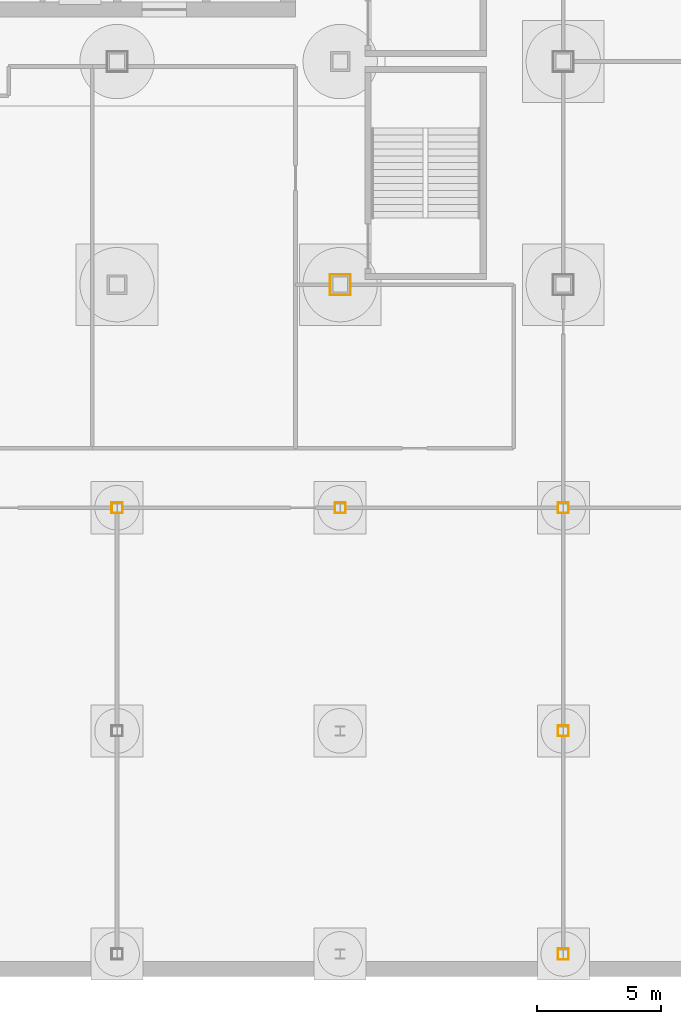
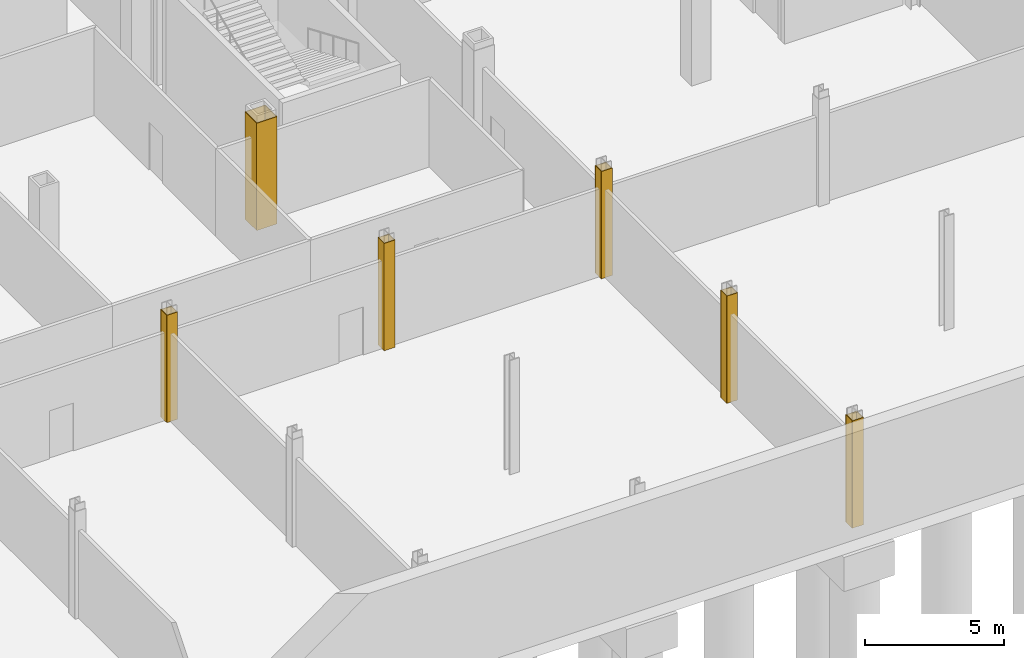
# One storey, part 18 of 28: 24 coverings.
"""IFC4 building model written with IfcOpenShell, lengths in metres."""

from ifc_helpers import new_model, si_unit, direction, frame, origin, origin_2d, place, context, subcontext, project, spatial, rectangle, extrude, material, layer, layer_set, type_object, element, save


model = new_model("IFC4")

# Units and contexts
model_context = context("Model", 3, precision=1e-05, world=origin(), true_north=direction((0.0, 1.0)))
body_context = subcontext(model_context, "Body", "Model", "MODEL_VIEW")
ifc_project = project(units=[si_unit("LENGTHUNIT", "METRE"), si_unit("AREAUNIT", "SQUARE_METRE"), si_unit("VOLUMEUNIT", "CUBIC_METRE"), si_unit("PLANEANGLEUNIT", "RADIAN"), si_unit("MASSUNIT", "GRAM", prefix="KILO")], contexts=[model_context])

# Site, building, storey
site_placement = place(None, origin())
site = spatial("IfcSite", under=ifc_project, at=site_placement, CompositionType="ELEMENT")
building_placement = place(site_placement, origin())
building = spatial("IfcBuilding", under=site, at=building_placement, Name="Loomwork Tower", CompositionType="ELEMENT")
storey_placement = place(building_placement, frame((0.0, 0.0, -10.5)))
storey = spatial("IfcBuildingStorey", under=building, at=storey_placement, Name="B2", CompositionType="ELEMENT", Elevation=-10.5)

# Coverings
ifc_material = material(Name="Two-hour fire-rated gypsum board casing")
ifc_layer = layer(ifc_material, 0.02490234375)
ifc_layer_set = layer_set([ifc_layer], Name="Column fire casing 25")
covering_type = type_object("IfcCoveringType", Name="Column fire casing 25", PredefinedType="CLADDING", material=ifc_layer_set)
for number, where, z_axis, x_axis, name in (
    (1, (27.0, -8.7880859375, 0.0), (0.0, 0.0, 1.0), (1.0, 0.0, 0.0), "Column casing 27 -9 B2"),
    (2, (27.0, -9.2119140625, 0.0), (0.0, 0.0, 1.0), (1.0, 0.0, 0.0), "Column casing 27 -9 B2"),
):
    element("IfcCovering", number, at=place(storey_placement, frame(where, z_axis=z_axis, x_axis=x_axis)), inside=storey, type_object=covering_type, Name=name, PredefinedType="CLADDING", context=body_context, shape_type="SweptSolid", body=[
        extrude(rectangle(XDim=0.451416015625, YDim=0.02490234375, at=origin_2d()), origin(), (0.0, 0.0, 1.0), 4.699951171875),
    ])
for number, where, z_axis, x_axis, name in (
    (3, (27.213134765625, -9.0, 0.0), (0.0, 0.0, 1.0), (1.0, 0.0, 0.0), "Column casing 27 -9 B2"),
    (4, (26.786865234375, -9.0, 0.0), (0.0, 0.0, 1.0), (1.0, 0.0, 0.0), "Column casing 27 -9 B2"),
):
    element("IfcCovering", number, at=place(storey_placement, frame(where, z_axis=z_axis, x_axis=x_axis)), inside=storey, type_object=covering_type, Name=name, PredefinedType="CLADDING", context=body_context, shape_type="SweptSolid", body=[
        extrude(rectangle(XDim=0.02490234375, YDim=0.398681640625, at=origin_2d()), origin(), (0.0, 0.0, 1.0), 4.699951171875),
    ])
for number, where, z_axis, x_axis, name in (
    (5, (36.0, -8.7880859375, 0.0), (0.0, 0.0, 1.0), (1.0, 0.0, 0.0), "Column casing 36 -9 B2"),
    (6, (36.0, -9.2119140625, 0.0), (0.0, 0.0, 1.0), (1.0, 0.0, 0.0), "Column casing 36 -9 B2"),
):
    element("IfcCovering", number, at=place(storey_placement, frame(where, z_axis=z_axis, x_axis=x_axis)), inside=storey, type_object=covering_type, Name=name, PredefinedType="CLADDING", context=body_context, shape_type="SweptSolid", body=[
        extrude(rectangle(XDim=0.451416015625, YDim=0.02490234375, at=origin_2d()), origin(), (0.0, 0.0, 1.0), 4.699951171875),
    ])
for number, where, z_axis, x_axis, name in (
    (7, (36.213134765625, -9.0, 0.0), (0.0, 0.0, 1.0), (1.0, 0.0, 0.0), "Column casing 36 -9 B2"),
    (8, (35.786865234375, -9.0, 0.0), (0.0, 0.0, 1.0), (1.0, 0.0, 0.0), "Column casing 36 -9 B2"),
):
    element("IfcCovering", number, at=place(storey_placement, frame(where, z_axis=z_axis, x_axis=x_axis)), inside=storey, type_object=covering_type, Name=name, PredefinedType="CLADDING", context=body_context, shape_type="SweptSolid", body=[
        extrude(rectangle(XDim=0.02490234375, YDim=0.398681640625, at=origin_2d()), origin(), (0.0, 0.0, 1.0), 4.699951171875),
    ])
for number, where, z_axis, x_axis, name in (
    (9, (36.0, 0.41259765625, 0.0), (0.0, 0.0, 1.0), (1.0, 0.0, 0.0), "Column casing 36 0 B2"),
    (10, (36.0, -0.41259765625, 0.0), (0.0, 0.0, 1.0), (1.0, 0.0, 0.0), "Column casing 36 0 B2"),
):
    element("IfcCovering", number, at=place(storey_placement, frame(where, z_axis=z_axis, x_axis=x_axis)), inside=storey, type_object=covering_type, Name=name, PredefinedType="CLADDING", context=body_context, shape_type="SweptSolid", body=[
        extrude(rectangle(XDim=0.85009765625, YDim=0.02490234375, at=origin_2d()), origin(), (0.0, 0.0, 1.0), 4.699951171875),
    ])
for number, where, z_axis, x_axis, name in (
    (11, (36.41259765625, 0.0, 0.0), (0.0, 0.0, 1.0), (1.0, 0.0, 0.0), "Column casing 36 0 B2"),
    (12, (35.58740234375, 0.0, 0.0), (0.0, 0.0, 1.0), (1.0, 0.0, 0.0), "Column casing 36 0 B2"),
):
    element("IfcCovering", number, at=place(storey_placement, frame(where, z_axis=z_axis, x_axis=x_axis)), inside=storey, type_object=covering_type, Name=name, PredefinedType="CLADDING", context=body_context, shape_type="SweptSolid", body=[
        extrude(rectangle(XDim=0.02490234375, YDim=0.800048828125, at=origin_2d()), origin(), (0.0, 0.0, 1.0), 4.699951171875),
    ])
for number, where, z_axis, x_axis, name in (
    (13, (45.0, -26.775390625, 0.0), (0.0, 0.0, 1.0), (1.0, 0.0, 0.0), "Column casing 45 -27 B2"),
    (14, (45.0, -27.224609375, 0.0), (0.0, 0.0, 1.0), (1.0, 0.0, 0.0), "Column casing 45 -27 B2"),
):
    element("IfcCovering", number, at=place(storey_placement, frame(where, z_axis=z_axis, x_axis=x_axis)), inside=storey, type_object=covering_type, Name=name, PredefinedType="CLADDING", context=body_context, shape_type="SweptSolid", body=[
        extrude(rectangle(XDim=0.458984375, YDim=0.02490234375, at=origin_2d()), origin(), (0.0, 0.0, 1.0), 4.699951171875),
    ])
for number, where, z_axis, x_axis, name in (
    (15, (45.217041015625, -27.0, 0.0), (0.0, 0.0, 1.0), (1.0, 0.0, 0.0), "Column casing 45 -27 B2"),
    (16, (44.782958984375, -27.0, 0.0), (0.0, 0.0, 1.0), (1.0, 0.0, 0.0), "Column casing 45 -27 B2"),
):
    element("IfcCovering", number, at=place(storey_placement, frame(where, z_axis=z_axis, x_axis=x_axis)), inside=storey, type_object=covering_type, Name=name, PredefinedType="CLADDING", context=body_context, shape_type="SweptSolid", body=[
        extrude(rectangle(XDim=0.02490234375, YDim=0.42431640625, at=origin_2d()), origin(), (0.0, 0.0, 1.0), 4.699951171875),
    ])
for number, where, z_axis, x_axis, name in (
    (17, (45.0, -17.7880859375, 0.0), (0.0, 0.0, 1.0), (1.0, 0.0, 0.0), "Column casing 45 -18 B2"),
    (18, (45.0, -18.2119140625, 0.0), (0.0, 0.0, 1.0), (1.0, 0.0, 0.0), "Column casing 45 -18 B2"),
):
    element("IfcCovering", number, at=place(storey_placement, frame(where, z_axis=z_axis, x_axis=x_axis)), inside=storey, type_object=covering_type, Name=name, PredefinedType="CLADDING", context=body_context, shape_type="SweptSolid", body=[
        extrude(rectangle(XDim=0.451416015625, YDim=0.02490234375, at=origin_2d()), origin(), (0.0, 0.0, 1.0), 4.699951171875),
    ])
for number, where, z_axis, x_axis, name in (
    (19, (45.213134765625, -18.0, 0.0), (0.0, 0.0, 1.0), (1.0, 0.0, 0.0), "Column casing 45 -18 B2"),
    (20, (44.786865234375, -18.0, 0.0), (0.0, 0.0, 1.0), (1.0, 0.0, 0.0), "Column casing 45 -18 B2"),
):
    element("IfcCovering", number, at=place(storey_placement, frame(where, z_axis=z_axis, x_axis=x_axis)), inside=storey, type_object=covering_type, Name=name, PredefinedType="CLADDING", context=body_context, shape_type="SweptSolid", body=[
        extrude(rectangle(XDim=0.02490234375, YDim=0.398681640625, at=origin_2d()), origin(), (0.0, 0.0, 1.0), 4.699951171875),
    ])
for number, where, z_axis, x_axis, name in (
    (21, (45.0, -8.7880859375, 0.0), (0.0, 0.0, 1.0), (1.0, 0.0, 0.0), "Column casing 45 -9 B2"),
    (22, (45.0, -9.2119140625, 0.0), (0.0, 0.0, 1.0), (1.0, 0.0, 0.0), "Column casing 45 -9 B2"),
):
    element("IfcCovering", number, at=place(storey_placement, frame(where, z_axis=z_axis, x_axis=x_axis)), inside=storey, type_object=covering_type, Name=name, PredefinedType="CLADDING", context=body_context, shape_type="SweptSolid", body=[
        extrude(rectangle(XDim=0.451416015625, YDim=0.02490234375, at=origin_2d()), origin(), (0.0, 0.0, 1.0), 4.699951171875),
    ])
for number, where, z_axis, x_axis, name in (
    (23, (45.213134765625, -9.0, 0.0), (0.0, 0.0, 1.0), (1.0, 0.0, 0.0), "Column casing 45 -9 B2"),
    (24, (44.786865234375, -9.0, 0.0), (0.0, 0.0, 1.0), (1.0, 0.0, 0.0), "Column casing 45 -9 B2"),
):
    element("IfcCovering", number, at=place(storey_placement, frame(where, z_axis=z_axis, x_axis=x_axis)), inside=storey, type_object=covering_type, Name=name, PredefinedType="CLADDING", context=body_context, shape_type="SweptSolid", body=[
        extrude(rectangle(XDim=0.02490234375, YDim=0.398681640625, at=origin_2d()), origin(), (0.0, 0.0, 1.0), 4.699951171875),
    ])

save(model, "model.ifc")
